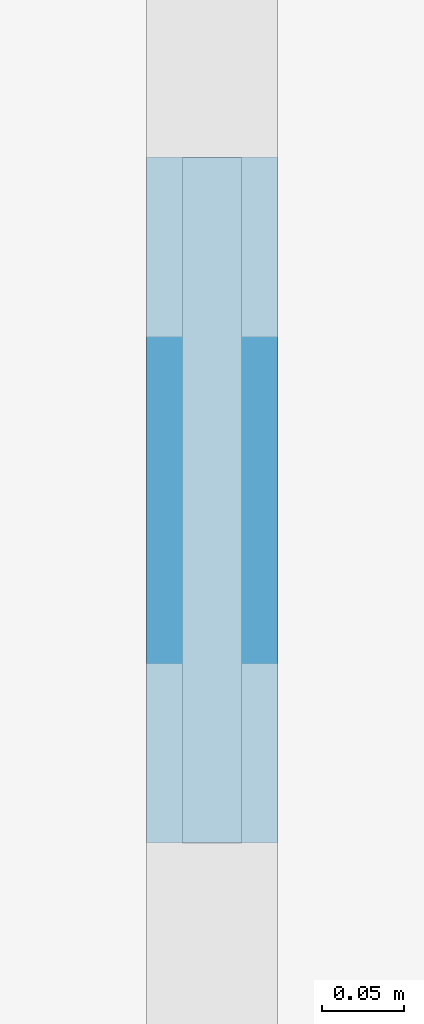
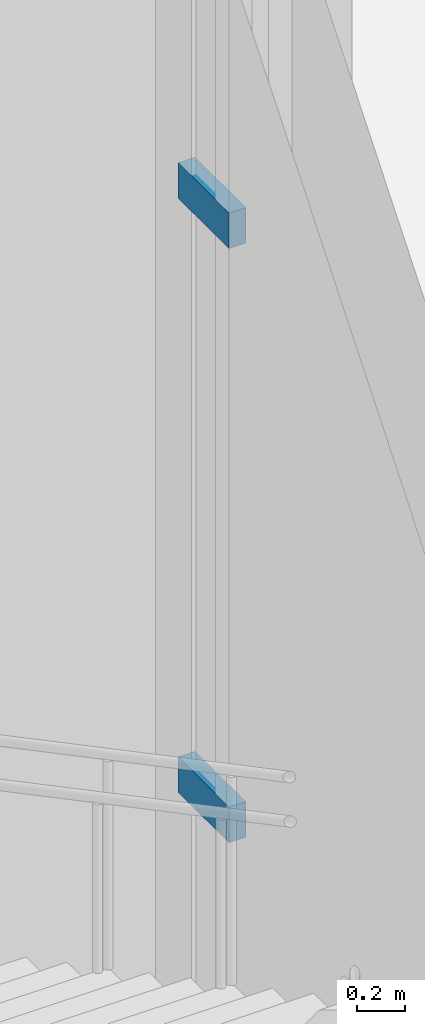
# One storey, part 29 of 72: 2 members, 1 element without a shape of its own.
"""IFC4 building model written with IfcOpenShell, lengths in metres."""

from ifc_helpers import new_model, si_unit, direction, frame, origin, origin_2d, place, context, subcontext, project, spatial, rectangle, extrude, material, material_profile, profile_set, type_object, element, aggregate, save


model = new_model("IFC4")

# Units and contexts
model_context = context("Model", 3, precision=1e-05, world=origin(), true_north=direction((0.0, 1.0)))
body_context = subcontext(model_context, "Body", "Model", "MODEL_VIEW")
ifc_project = project(units=[si_unit("LENGTHUNIT", "METRE"), si_unit("AREAUNIT", "SQUARE_METRE"), si_unit("VOLUMEUNIT", "CUBIC_METRE"), si_unit("PLANEANGLEUNIT", "RADIAN"), si_unit("MASSUNIT", "GRAM", prefix="KILO")], contexts=[model_context])

# Site, building, storey
site_placement = place(None, origin())
site = spatial("IfcSite", under=ifc_project, at=site_placement, CompositionType="ELEMENT")
building_placement = place(site_placement, origin())
building = spatial("IfcBuilding", under=site, at=building_placement, Name="Candeia Pilgrim Tower and Theatre", CompositionType="ELEMENT")
storey_placement = place(building_placement, origin())
storey = spatial("IfcBuildingStorey", under=building, at=storey_placement, Name="L00", CompositionType="ELEMENT", Elevation=0.0)

# Curtain wall, members
ifc_material_1 = material(Name="Aluminium framed podium glazing", Category="aluminium")
curtain_wall_type = type_object("IfcCurtainWallType", Name="CW-P curtain wall", PredefinedType="NOTDEFINED", material=ifc_material_1)
curtain_wall_placement = place(storey_placement, origin())
curtain_wall = element("IfcCurtainWall", 1, at=curtain_wall_placement, inside=storey, type_object=curtain_wall_type, Name="Curtain wall CW-P L00.001", PredefinedType="NOTDEFINED")
ifc_material_2 = material(Name="Anodised aluminium", Category="aluminium")
ifc_material_profile = material_profile(ifc_material_2, rectangle(XDim=0.080078125, YDim=0.179931640625, at=origin_2d()))
ifc_profile_set = profile_set([ifc_material_profile], Name="Anodised aluminium")
member_type = type_object("IfcMemberType", Name="CW-P transom 80x180", PredefinedType="USERDEFINED", material=ifc_profile_set)
member_1_placement = place(storey_placement, frame((58.800048828125, 79.68994140625, 3.0), z_axis=(0.0, 1.0, 0.0), x_axis=(-1.0, 0.0, 0.0)))
member_1 = element("IfcMember", 2, at=member_1_placement, type_object=member_type, Name="CW-P transom 1.1", ObjectType="TRANSOM", PredefinedType="USERDEFINED", context=body_context, shape_type="SweptSolid", body=[
    extrude(rectangle(XDim=0.080078125, YDim=0.179931640625, at=origin_2d()), origin(), (0.0, 0.0, 1.0), 0.420166015625),
])
member_2_placement = place(storey_placement, frame((58.800048828125, 79.68994140625, 6.0), z_axis=(0.0, 1.0, 0.0), x_axis=(-1.0, 0.0, 0.0)))
member_2 = element("IfcMember", 3, at=member_2_placement, type_object=member_type, Name="CW-P transom 1.2", ObjectType="TRANSOM", PredefinedType="USERDEFINED", context=body_context, shape_type="SweptSolid", body=[
    extrude(rectangle(XDim=0.080078125, YDim=0.179931640625, at=origin_2d()), origin(), (0.0, 0.0, 1.0), 0.420166015625),
])
aggregate(curtain_wall, [member_1, member_2])

save(model, "model.ifc")
